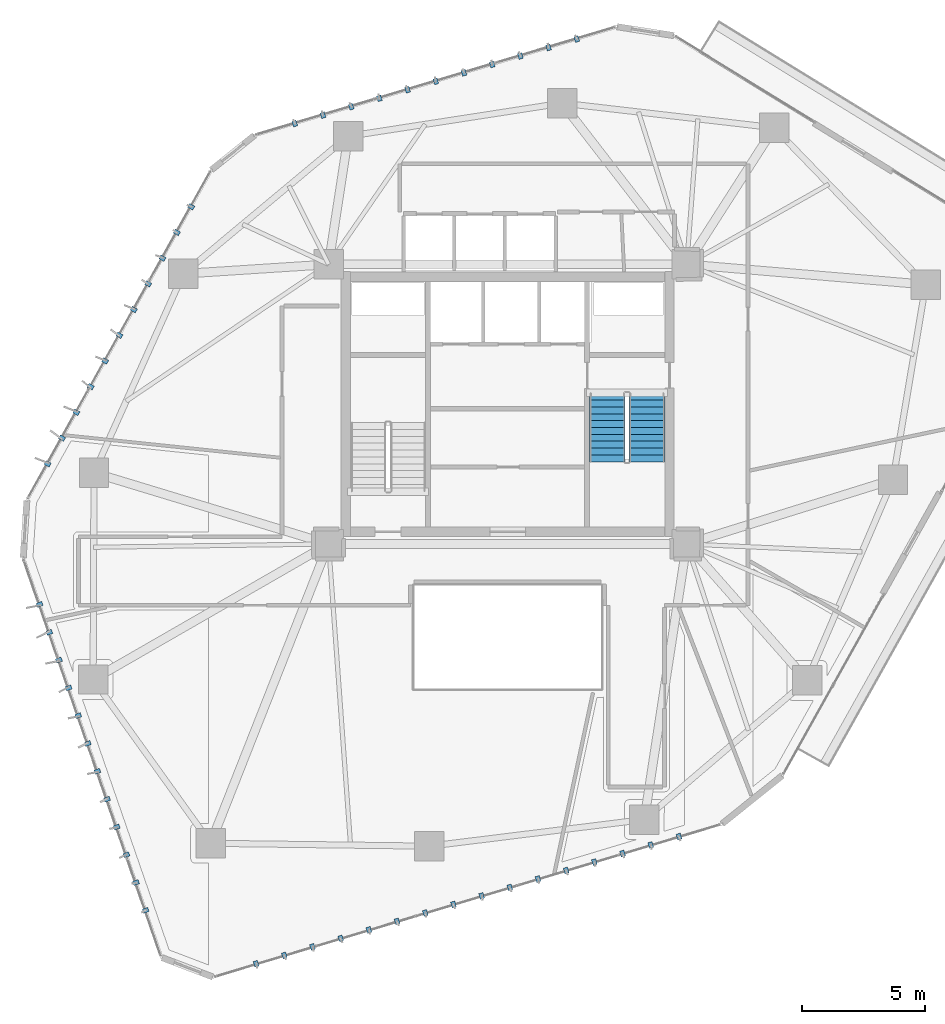
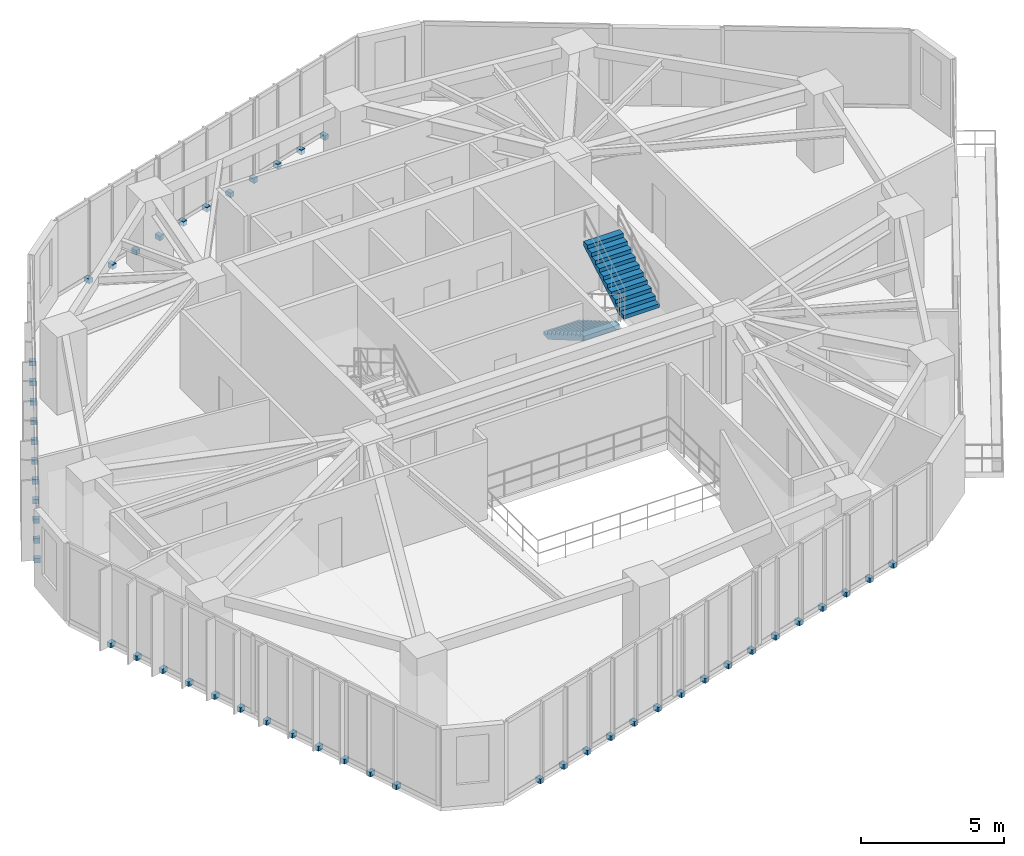
# One storey, part 18 of 21: 50 discrete accessories, 2 stair flights, 1 element without a shape of its own.
"""IFC4 building model written with IfcOpenShell, lengths in metres."""

import ifcopenshell
import ifcopenshell.guid

model = None  # the IFC model being written
_history = None  # IfcOwnerHistory: only IFC2X3 demands one
_inside = {}  # id of a spatial element -> (the spatial element, [elements in it])
_under = {}  # id of a project, library or spatial element -> (it, [spatial elements below it])
_declared = {}  # id of a project -> (the project, [libraries it declares])
_typed = {}  # id of a type object -> (the type object, [elements of that type])
_made_of = {}  # id of a material, layer set ... -> (it, [elements and type objects made of it])


def new_model(schema):
    """Start an empty IFC model of exactly this schema.

    Asked for "IFC4X3", IfcOpenShell would pick the latest addendum, in which some entities
    have other attributes; the version numbers below select the first issue.
    IFC2X3 requires an IfcOwnerHistory on every rooted entity: one is made here for all.
    """
    global model, _history
    if schema == "IFC4X3":
        model = ifcopenshell.file(schema_version=(4, 3, 0, 0))
    else:
        model = ifcopenshell.file(schema=schema)
    _inside.clear()
    _under.clear()
    _declared.clear()
    _typed.clear()
    _made_of.clear()
    _history = None
    if model.schema == "IFC2X3":
        org = make("IfcOrganization", Name="unknown")
        user = make(
            "IfcPersonAndOrganization",
            ThePerson=make("IfcPerson", FamilyName="unknown"),
            TheOrganization=org,
        )
        app = make(
            "IfcApplication",
            ApplicationDeveloper=org,
            Version="unknown",
            ApplicationFullName="unknown",
            ApplicationIdentifier="unknown",
        )
        _history = make(
            "IfcOwnerHistory",
            OwningUser=user,
            OwningApplication=app,
            ChangeAction="ADDED",
            CreationDate=0,
        )
    return model


def make(cls, **values):
    """One entity of the class cls with the attributes given. An attribute that is None is left unset."""
    return model.create_entity(
        cls, **{name: value for name, value in values.items() if value is not None}
    )


def rooted(cls, **values):
    """An entity with a GlobalId (a new one), such as an element, a storey or a relation."""
    return make(cls, GlobalId=ifcopenshell.guid.new(), OwnerHistory=_history, **values)


def si_unit(unit_type, name, prefix=None):
    """IfcSIUnit, for example si_unit("LENGTHUNIT", "METRE", prefix="MILLI")."""
    return make("IfcSIUnit", UnitType=unit_type, Prefix=prefix, Name=name)


def assignment(units):
    """IfcUnitAssignment: the units of a project."""
    return None if units is None else make("IfcUnitAssignment", Units=units)


def point(xyz):
    """IfcCartesianPoint."""
    return None if xyz is None else make("IfcCartesianPoint", Coordinates=xyz)


def direction(xyz):
    """IfcDirection."""
    return None if xyz is None else make("IfcDirection", DirectionRatios=xyz)


def frame(location, z_axis=None, x_axis=None):
    """IfcAxis2Placement3D, a coordinate frame: its origin and axes. An axis left out is left unset."""
    return make(
        "IfcAxis2Placement3D",
        Location=point(location),
        Axis=direction(z_axis),
        RefDirection=direction(x_axis),
    )


def frame_2d(location, x_axis=None):
    """IfcAxis2Placement2D, a coordinate frame in the plane: its origin and x axis."""
    return make(
        "IfcAxis2Placement2D", Location=point(location), RefDirection=direction(x_axis)
    )


def origin():
    """The frame at (0, 0, 0) with its axes left unset."""
    return frame((0.0, 0.0, 0.0))


def origin_2d():
    """The frame at (0, 0) in the plane with its x axis left unset."""
    return frame_2d((0.0, 0.0))


def place(relative_to, where):
    """IfcLocalPlacement: puts the frame where relative to a parent placement (None: the world)."""
    return make(
        "IfcLocalPlacement", PlacementRelTo=relative_to, RelativePlacement=where
    )


def context(
    kind, dimensions, precision=None, world=None, true_north=None, identifier=None
):
    """IfcGeometricRepresentationContext, for example the 3D "Model" context."""
    return make(
        "IfcGeometricRepresentationContext",
        ContextIdentifier=identifier,
        ContextType=kind,
        CoordinateSpaceDimension=dimensions,
        Precision=precision,
        WorldCoordinateSystem=world,
        TrueNorth=true_north,
    )


def subcontext(parent, identifier, kind, view, scale=None):
    """IfcGeometricRepresentationSubContext, for example "Body" below "Model"."""
    return make(
        "IfcGeometricRepresentationSubContext",
        ContextIdentifier=identifier,
        ContextType=kind,
        ParentContext=parent,
        TargetScale=scale,
        TargetView=view,
    )


def project(units=None, contexts=None):
    """IfcProject with its units and contexts."""
    return rooted(
        "IfcProject",
        Name="project",
        RepresentationContexts=contexts,
        UnitsInContext=assignment(units),
    )


def spatial(cls, under=None, at=None, **own):
    """A site, building, storey or space (cls), placed at a placement, below another one or the project."""
    s = rooted(cls, ObjectPlacement=at, **own)
    if under is not None:
        _under.setdefault(under.id(), (under, []))[1].append(s)
    return s


def polyline(points):
    """IfcPolyline through the points."""
    return make("IfcPolyline", Points=[point(p) for p in points])


def profile(cls, at=None, kind="AREA", **sizes):
    """A parametric profile (cls). Its sizes go by their IFC names, for example OverallWidth=200.0."""
    return make(cls, ProfileType=kind, Position=at, **sizes)


def rectangle(**sizes):
    """IfcRectangleProfileDef."""
    return profile("IfcRectangleProfileDef", **sizes)


def outline(outer, holes=None, kind="AREA"):
    """IfcArbitraryClosedProfileDef: a profile drawn as a closed curve; with holes, ...WithVoids."""
    if holes is None:
        return make("IfcArbitraryClosedProfileDef", ProfileType=kind, OuterCurve=outer)
    return make(
        "IfcArbitraryProfileDefWithVoids",
        ProfileType=kind,
        OuterCurve=outer,
        InnerCurves=holes,
    )


def extrude(swept, where, along, depth):
    """IfcExtrudedAreaSolid: the profile swept, set in the frame where, extruded along a direction by depth."""
    return make(
        "IfcExtrudedAreaSolid",
        SweptArea=swept,
        Position=where,
        ExtrudedDirection=direction(along),
        Depth=depth,
    )


def shape(context_of_items, identifier, shape_type, items):
    """IfcShapeRepresentation: the items that make up one representation, for example the "Body"."""
    return make(
        "IfcShapeRepresentation",
        ContextOfItems=context_of_items,
        RepresentationIdentifier=identifier,
        RepresentationType=shape_type,
        Items=items,
    )


def source(mapping_origin, context_of_items, identifier, shape_type, items):
    """IfcRepresentationMap: a shape defined once, which mapped items show again and again."""
    return make(
        "IfcRepresentationMap",
        MappingOrigin=mapping_origin,
        MappedRepresentation=shape(context_of_items, identifier, shape_type, items),
    )


def transform(
    local_origin,
    x_axis=None,
    y_axis=None,
    z_axis=None,
    scale=None,
    scale2=None,
    scale3=None,
    uniform=True,
):
    """IfcCartesianTransformationOperator3D, or its non-uniform kind. x_axis, y_axis, z_axis: its Axis1, 2, 3."""
    if uniform:
        return make(
            "IfcCartesianTransformationOperator3D",
            Axis1=direction(x_axis),
            Axis2=direction(y_axis),
            LocalOrigin=point(local_origin),
            Scale=scale,
            Axis3=direction(z_axis),
        )
    return make(
        "IfcCartesianTransformationOperator3DnonUniform",
        Axis1=direction(x_axis),
        Axis2=direction(y_axis),
        LocalOrigin=point(local_origin),
        Scale=scale,
        Axis3=direction(z_axis),
        Scale2=scale2,
        Scale3=scale3,
    )


def mapped(mapping_source, mapping_target):
    """IfcMappedItem: shows the shape of a source again, moved by a transform."""
    return make(
        "IfcMappedItem", MappingSource=mapping_source, MappingTarget=mapping_target
    )


def material(Name=None, Category=None):
    """IfcMaterial."""
    return make("IfcMaterial", Name=Name, Category=Category)


def layer(
    of_material, thickness, ventilated=None, Name=None, Category=None, Priority=None
):
    """IfcMaterialLayer: one layer of a wall or slab, of a material (None: an air gap)."""
    return make(
        "IfcMaterialLayer",
        Material=of_material,
        LayerThickness=thickness,
        IsVentilated=ventilated,
        Name=Name,
        Category=Category,
        Priority=Priority,
    )


def layer_set(layers, Name=None):
    """IfcMaterialLayerSet."""
    return make("IfcMaterialLayerSet", MaterialLayers=layers, LayerSetName=Name)


def made_of(thing, what):
    """Note that an element or type object is made of a material, layer set ...; save() writes the relation."""
    if what is not None:
        _made_of.setdefault(what.id(), (what, []))[1].append(thing)
    return thing


def type_object(cls, material=None, **own):
    """A type object (cls), such as IfcWallType, which elements share."""
    return made_of(rooted(cls, **own), material)


def type_shapes(of_type, sources):
    """Give a type object the sources (RepresentationMaps) that its elements show as mapped items."""
    of_type.RepresentationMaps = sources


def element(
    cls,
    number,
    at=None,
    inside=None,
    cuts=None,
    type_object=None,
    material=None,
    context=None,
    identifier="Body",
    shape_type=None,
    held_by="IfcProductDefinitionShape",
    body=None,
    shapes=None,
    **own,
):
    """One element of the class cls, such as IfcWall. Its Tag is "e" and its number.

    at: its placement. inside: the storey or other place that contains it. cuts: it is an
    opening in that element (IfcRelVoidsElement). A single representation is given by context,
    identifier, shape_type and body (its items); several are given by shapes. held_by: the class
    of the entity that holds the representations. save() writes the other relations.
    """
    e = rooted(cls, Tag="e%d" % number, ObjectPlacement=at, **own)
    if body is not None:
        shapes = [shape(context, identifier, shape_type, body)]
    if shapes is not None:
        e.Representation = make(held_by, Representations=shapes)
    if inside is not None:
        _inside.setdefault(inside.id(), (inside, []))[1].append(e)
    if cuts is not None:
        rooted(
            "IfcRelVoidsElement", RelatingBuildingElement=cuts, RelatedOpeningElement=e
        )
    if type_object is not None:
        _typed.setdefault(type_object.id(), (type_object, []))[1].append(e)
    return made_of(e, material)


def aggregate(whole, parts):
    """IfcRelAggregates: a whole, such as a stair, and the parts it consists of."""
    return rooted("IfcRelAggregates", RelatingObject=whole, RelatedObjects=parts)


def save(model, path):
    """Write the relations noted so far, then the file.

    IfcRelAggregates (storeys below a building ...), IfcRelContainedInSpatialStructure (elements
    in a storey), IfcRelDefinesByType, IfcRelAssociatesMaterial and IfcRelDeclares: one each for
    every whole, place, type object, material and project.
    """
    for whole, parts in _under.values():
        aggregate(whole, parts)
    for where, things in _inside.values():
        rooted(
            "IfcRelContainedInSpatialStructure",
            RelatedElements=things,
            RelatingStructure=where,
        )
    for kind, things in _typed.values():
        rooted("IfcRelDefinesByType", RelatedObjects=things, RelatingType=kind)
    for what, things in _made_of.values():
        rooted("IfcRelAssociatesMaterial", RelatedObjects=things, RelatingMaterial=what)
    for by, libraries in _declared.values():
        rooted("IfcRelDeclares", RelatingContext=by, RelatedDefinitions=libraries)
    model.write(path)


model = new_model("IFC4")

# Units and contexts
model_context = context("Model", 3, precision=1e-05, world=origin(), true_north=direction((0.0, 1.0)))
body_context = subcontext(model_context, "Body", "Model", "MODEL_VIEW")
ifc_project = project(units=[si_unit("LENGTHUNIT", "METRE"), si_unit("AREAUNIT", "SQUARE_METRE"), si_unit("VOLUMEUNIT", "CUBIC_METRE"), si_unit("PLANEANGLEUNIT", "RADIAN"), si_unit("MASSUNIT", "GRAM", prefix="KILO")], contexts=[model_context])

# Site, building, storey
site_placement = place(None, origin())
site = spatial("IfcSite", under=ifc_project, at=site_placement, CompositionType="ELEMENT")
building_placement = place(site_placement, origin())
building = spatial("IfcBuilding", under=site, at=building_placement, Name="Talar Marvaseh", CompositionType="ELEMENT")
storey_placement = place(building_placement, frame((0.0, 0.0, 139.800048828125)))
storey = spatial("IfcBuildingStorey", under=building, at=storey_placement, Name="L36", CompositionType="ELEMENT", Elevation=139.800048828125)

# Stair, stair flights
ifc_material_1 = material(Name="Concrete C40/50", Category="concrete")
stair_type = type_object("IfcStairType", Name="Reinforced Concrete Half-Turn Exit Stair Type B", PredefinedType="HALF_TURN_STAIR", material=ifc_material_1)
stair_placement = place(storey_placement, origin())
stair = element("IfcStair", 1, at=stair_placement, inside=storey, type_object=stair_type, Name="L36 Tower East Core Exit Stair", PredefinedType="HALF_TURN_STAIR")
ifc_layer = layer(ifc_material_1, 0.159912109375)
ifc_layer_set = layer_set([ifc_layer], Name="Concrete C40/50")
stair_flight_type = type_object("IfcStairFlightType", Name="Reinforced Concrete Straight Stair Flight 160", PredefinedType="STRAIGHT", material=ifc_layer_set)
stair_flight_1_placement = place(storey_placement, frame((30.06494140625, 31.64990234375, 0.0), z_axis=(0.0, 0.0, 1.0), x_axis=(0.0, -1.0, 0.0)))
stair_flight_1 = element("IfcStairFlight", 2, at=stair_flight_1_placement, type_object=stair_flight_type, Name="ST-2 flight 1", NumberOfRisers=11, NumberOfTreads=10, PredefinedType="STRAIGHT", RiserHeight=0.163636364, TreadLength=0.28, context=body_context, shape_type="SweptSolid", body=[
    extrude(outline(polyline([(0.0, 0.0), (0.0, 0.16357421875), (0.280029296875, 0.16357421875), (0.280029296875, 0.327392578125), (0.56005859375, 0.327392578125), (0.56005859375, 0.490966796875), (0.840087890625, 0.490966796875), (0.840087890625, 0.654541015625), (1.1201171875, 0.654541015625), (1.1201171875, 0.818115234375), (1.39990234375, 0.818115234375), (1.39990234375, 0.98193359375), (1.679931640625, 0.98193359375), (1.679931640625, 1.1455078125), (1.9599609375, 1.1455078125), (1.9599609375, 1.30908203125), (2.239990234375, 1.30908203125), (2.239990234375, 1.47265625), (2.52001953125, 1.47265625), (2.52001953125, 1.636474609375), (2.800048828125, 1.636474609375), (2.800048828125, 1.800048828125), (2.800048828125, 1.451171875), (0.31689453125, 0.0), (0.0, 0.0)])), frame((0.0, 0.72509765625, 0.0), z_axis=(0.0, -1.0, 0.0), x_axis=(1.0, 0.0, 0.0)), (0.0, 0.0, 1.0), 1.449951171875),
])
stair_flight_2_placement = place(storey_placement, frame((31.675048828125, 28.85009765625, 1.800048828125), z_axis=(0.0, 0.0, 1.0), x_axis=(0.0, 1.0, 0.0)))
stair_flight_2 = element("IfcStairFlight", 3, at=stair_flight_2_placement, type_object=stair_flight_type, Name="ST-2 flight 2", NumberOfRisers=11, NumberOfTreads=10, PredefinedType="STRAIGHT", RiserHeight=0.163636364, TreadLength=0.28, context=body_context, shape_type="SweptSolid", body=[
    extrude(outline(polyline([(0.0, 0.0), (0.0, 0.16357421875), (0.280029296875, 0.16357421875), (0.280029296875, 0.327392578125), (0.56005859375, 0.327392578125), (0.56005859375, 0.490966796875), (0.840087890625, 0.490966796875), (0.840087890625, 0.654541015625), (1.1201171875, 0.654541015625), (1.1201171875, 0.818115234375), (1.39990234375, 0.818115234375), (1.39990234375, 0.98193359375), (1.679931640625, 0.98193359375), (1.679931640625, 1.1455078125), (1.9599609375, 1.1455078125), (1.9599609375, 1.30908203125), (2.239990234375, 1.30908203125), (2.239990234375, 1.47265625), (2.52001953125, 1.47265625), (2.52001953125, 1.636474609375), (2.800048828125, 1.636474609375), (2.800048828125, 1.800048828125), (2.800048828125, 1.451171875), (0.31689453125, 0.0), (0.0, 0.0)])), frame((0.0, 0.72509765625, 0.0), z_axis=(0.0, -1.0, 0.0), x_axis=(1.0, 0.0, 0.0)), (0.0, 0.0, 1.0), 1.449951171875),
])
aggregate(stair, [stair_flight_1, stair_flight_2])

# Discrete accessories
ifc_material_2 = material(Name="Stainless Steel Grade 316", Category="steel")
discrete_accessory_type = type_object("IfcDiscreteAccessoryType", Name="Stainless Slab-Edge Fin Mounting Bracket", PredefinedType="BRACKET", material=ifc_material_2)
shared_shape = source(origin(), body_context, "Body", "SweptSolid", [
    extrude(rectangle(XDim=0.239990234375, YDim=0.179931640625, at=origin_2d()), origin(), (0.0, 0.0, 1.0), 0.199951171875),
])
type_shapes(discrete_accessory_type, [shared_shape])
for number, where, z_axis, x_axis, name in (
    (4, (11.241455078125, 10.56298828125, -0.18017578125), (0.0, 0.0, 1.0), (-0.944948912158, -0.327217898979, 0.0), "L36 Vertical Fin Slab-Edge Bracket"),
    (5, (10.848876953125, 11.69677734375, -0.18017578125), (0.0, 0.0, 1.0), (-0.944948912158, -0.327217898979, 0.0), "L36 Vertical Fin Slab-Edge Bracket"),
    (6, (10.456298828125, 12.830810546875, -0.18017578125), (0.0, 0.0, 1.0), (-0.944948912158, -0.327217898979, 0.0), "L36 Vertical Fin Slab-Edge Bracket"),
    (7, (10.063720703125, 13.96484375, -0.18017578125), (0.0, 0.0, 1.0), (-0.944948912158, -0.327217898979, 0.0), "L36 Vertical Fin Slab-Edge Bracket"),
    (8, (9.671142578125, 15.0986328125, -0.18017578125), (0.0, 0.0, 1.0), (-0.944948912158, -0.327217898979, 0.0), "L36 Vertical Fin Slab-Edge Bracket"),
    (9, (9.278564453125, 16.232666015625, -0.18017578125), (0.0, 0.0, 1.0), (-0.944948912158, -0.327217898979, 0.0), "L36 Vertical Fin Slab-Edge Bracket"),
    (10, (8.885986328125, 17.36669921875, -0.18017578125), (0.0, 0.0, 1.0), (-0.944948912158, -0.327217898979, 0.0), "L36 Vertical Fin Slab-Edge Bracket"),
    (11, (8.493408203125, 18.50048828125, -0.18017578125), (0.0, 0.0, 1.0), (-0.944948912158, -0.327217898979, 0.0), "L36 Vertical Fin Slab-Edge Bracket"),
    (12, (8.1005859375, 19.634521484375, -0.18017578125), (0.0, 0.0, 1.0), (-0.944948912158, -0.327217898979, 0.0), "L36 Vertical Fin Slab-Edge Bracket"),
    (13, (7.7080078125, 20.7685546875, -0.18017578125), (0.0, 0.0, 1.0), (-0.944948912158, -0.327217898979, 0.0), "L36 Vertical Fin Slab-Edge Bracket"),
    (14, (7.3154296875, 21.902587890625, -0.18017578125), (0.0, 0.0, 1.0), (-0.944948912158, -0.327217898979, 0.0), "L36 Vertical Fin Slab-Edge Bracket"),
    (15, (6.9228515625, 23.03662109375, -0.18017578125), (0.0, 0.0, 1.0), (-0.944948912158, -0.327217898979, 0.0), "L36 Vertical Fin Slab-Edge Bracket"),
    (16, (7.247314453125, 28.77099609375, -0.18017578125), (0.0, 0.0, 1.0), (-0.873092319232, 0.487554922136, 0.0), "L36 Vertical Fin Slab-Edge Bracket"),
    (17, (7.83251953125, 29.818603515625, -0.18017578125), (0.0, 0.0, 1.0), (-0.873092319232, 0.487554922136, 0.0), "L36 Vertical Fin Slab-Edge Bracket"),
    (18, (8.41748046875, 30.866455078125, -0.18017578125), (0.0, 0.0, 1.0), (-0.873092319232, 0.487554922136, 0.0), "L36 Vertical Fin Slab-Edge Bracket"),
    (19, (9.002685546875, 31.9140625, -0.18017578125), (0.0, 0.0, 1.0), (-0.873092319232, 0.487554922136, 0.0), "L36 Vertical Fin Slab-Edge Bracket"),
    (20, (9.587890625, 32.9619140625, -0.18017578125), (0.0, 0.0, 1.0), (-0.873092319232, 0.487554922136, 0.0), "L36 Vertical Fin Slab-Edge Bracket"),
    (21, (10.1728515625, 34.009521484375, -0.18017578125), (0.0, 0.0, 1.0), (-0.873092319232, 0.487554922136, 0.0), "L36 Vertical Fin Slab-Edge Bracket"),
    (22, (10.758056640625, 35.05712890625, -0.18017578125), (0.0, 0.0, 1.0), (-0.873092319232, 0.487554922136, 0.0), "L36 Vertical Fin Slab-Edge Bracket"),
    (23, (11.343017578125, 36.10498046875, -0.18017578125), (0.0, 0.0, 1.0), (-0.873092319232, 0.487554922136, 0.0), "L36 Vertical Fin Slab-Edge Bracket"),
    (24, (11.92822265625, 37.152587890625, -0.18017578125), (0.0, 0.0, 1.0), (-0.873092319232, 0.487554922136, 0.0), "L36 Vertical Fin Slab-Edge Bracket"),
    (25, (12.51318359375, 38.2001953125, -0.18017578125), (0.0, 0.0, 1.0), (-0.873092319232, 0.487554922136, 0.0), "L36 Vertical Fin Slab-Edge Bracket"),
    (26, (13.098388671875, 39.248046875, -0.18017578125), (0.0, 0.0, 1.0), (-0.873092319232, 0.487554922136, 0.0), "L36 Vertical Fin Slab-Edge Bracket"),
    (27, (17.322998046875, 42.638427734375, -0.18017578125), (0.0, 0.0, 1.0), (-0.287026159226, 0.957922744234, 0.0), "L36 Vertical Fin Slab-Edge Bracket"),
    (28, (18.472412109375, 42.98291015625, -0.18017578125), (0.0, 0.0, 1.0), (-0.287026159226, 0.957922744234, 0.0), "L36 Vertical Fin Slab-Edge Bracket"),
    (29, (19.621826171875, 43.327392578125, -0.18017578125), (0.0, 0.0, 1.0), (-0.287026159226, 0.957922744234, 0.0), "L36 Vertical Fin Slab-Edge Bracket"),
    (30, (20.771484375, 43.671875, -0.18017578125), (0.0, 0.0, 1.0), (-0.287026159226, 0.957922744234, 0.0), "L36 Vertical Fin Slab-Edge Bracket"),
    (31, (21.9208984375, 44.016357421875, -0.18017578125), (0.0, 0.0, 1.0), (-0.287026159226, 0.957922744234, 0.0), "L36 Vertical Fin Slab-Edge Bracket"),
    (32, (23.0703125, 44.36083984375, -0.18017578125), (0.0, 0.0, 1.0), (-0.287026159226, 0.957922744234, 0.0), "L36 Vertical Fin Slab-Edge Bracket"),
    (33, (24.219970703125, 44.705322265625, -0.18017578125), (0.0, 0.0, 1.0), (-0.287026159226, 0.957922744234, 0.0), "L36 Vertical Fin Slab-Edge Bracket"),
    (34, (25.369384765625, 45.0498046875, -0.18017578125), (0.0, 0.0, 1.0), (-0.287026159226, 0.957922744234, 0.0), "L36 Vertical Fin Slab-Edge Bracket"),
    (35, (26.518798828125, 45.394287109375, -0.18017578125), (0.0, 0.0, 1.0), (-0.287026159226, 0.957922744234, 0.0), "L36 Vertical Fin Slab-Edge Bracket"),
    (36, (27.66845703125, 45.73876953125, -0.18017578125), (0.0, 0.0, 1.0), (-0.287026159226, 0.957922744234, 0.0), "L36 Vertical Fin Slab-Edge Bracket"),
    (37, (28.81787109375, 46.083251953125, -0.18017578125), (0.0, 0.0, 1.0), (-0.287026159226, 0.957922744234, 0.0), "L36 Vertical Fin Slab-Edge Bracket"),
    (38, (32.98291015625, 13.575439453125, -0.18017578125), (0.0, 0.0, 1.0), (0.288363391474, -0.957521046483, 0.0), "L36 Vertical Fin Slab-Edge Bracket"),
    (39, (31.833984375, 13.2294921875, -0.18017578125), (0.0, 0.0, 1.0), (0.288363391474, -0.957521046483, 0.0), "L36 Vertical Fin Slab-Edge Bracket"),
    (40, (30.684814453125, 12.88330078125, -0.18017578125), (0.0, 0.0, 1.0), (0.288363391474, -0.957521046483, 0.0), "L36 Vertical Fin Slab-Edge Bracket"),
    (41, (29.535888671875, 12.537353515625, -0.18017578125), (0.0, 0.0, 1.0), (0.288363391474, -0.957521046483, 0.0), "L36 Vertical Fin Slab-Edge Bracket"),
    (42, (28.38671875, 12.19140625, -0.18017578125), (0.0, 0.0, 1.0), (0.288363391474, -0.957521046483, 0.0), "L36 Vertical Fin Slab-Edge Bracket"),
    (43, (27.23779296875, 11.845458984375, -0.18017578125), (0.0, 0.0, 1.0), (0.288363391474, -0.957521046483, 0.0), "L36 Vertical Fin Slab-Edge Bracket"),
    (44, (26.088623046875, 11.49951171875, -0.18017578125), (0.0, 0.0, 1.0), (0.288363391474, -0.957521046483, 0.0), "L36 Vertical Fin Slab-Edge Bracket"),
    (45, (24.939697265625, 11.1533203125, -0.18017578125), (0.0, 0.0, 1.0), (0.288363391474, -0.957521046483, 0.0), "L36 Vertical Fin Slab-Edge Bracket"),
    (46, (23.790771484375, 10.807373046875, -0.18017578125), (0.0, 0.0, 1.0), (0.288363391474, -0.957521046483, 0.0), "L36 Vertical Fin Slab-Edge Bracket"),
    (47, (22.6416015625, 10.461181640625, -0.18017578125), (0.0, 0.0, 1.0), (0.288363391474, -0.957521046483, 0.0), "L36 Vertical Fin Slab-Edge Bracket"),
    (48, (21.49267578125, 10.115234375, -0.18017578125), (0.0, 0.0, 1.0), (0.288363391474, -0.957521046483, 0.0), "L36 Vertical Fin Slab-Edge Bracket"),
    (49, (20.343505859375, 9.769287109375, -0.18017578125), (0.0, 0.0, 1.0), (0.288363391474, -0.957521046483, 0.0), "L36 Vertical Fin Slab-Edge Bracket"),
    (50, (19.194580078125, 9.42333984375, -0.18017578125), (0.0, 0.0, 1.0), (0.288363391474, -0.957521046483, 0.0), "L36 Vertical Fin Slab-Edge Bracket"),
    (51, (18.04541015625, 9.077392578125, -0.18017578125), (0.0, 0.0, 1.0), (0.288363391474, -0.957521046483, 0.0), "L36 Vertical Fin Slab-Edge Bracket"),
    (52, (16.896484375, 8.731201171875, -0.18017578125), (0.0, 0.0, 1.0), (0.288363391474, -0.957521046483, 0.0), "L36 Vertical Fin Slab-Edge Bracket"),
    (53, (15.747314453125, 8.38525390625, -0.18017578125), (0.0, 0.0, 1.0), (0.288363391474, -0.957521046483, 0.0), "L36 Vertical Fin Slab-Edge Bracket"),
):
    element("IfcDiscreteAccessory", number, at=place(storey_placement, frame(where, z_axis=z_axis, x_axis=x_axis)), inside=storey, type_object=discrete_accessory_type, Name=name, PredefinedType="BRACKET", context=body_context, shape_type="MappedRepresentation", body=[
        mapped(shared_shape, transform((0.0, 0.0, 0.0), x_axis=(1.0, 0.0, 0.0), y_axis=(0.0, 1.0, 0.0), z_axis=(0.0, 0.0, 1.0), scale=1.0)),
    ])

save(model, "model.ifc")
